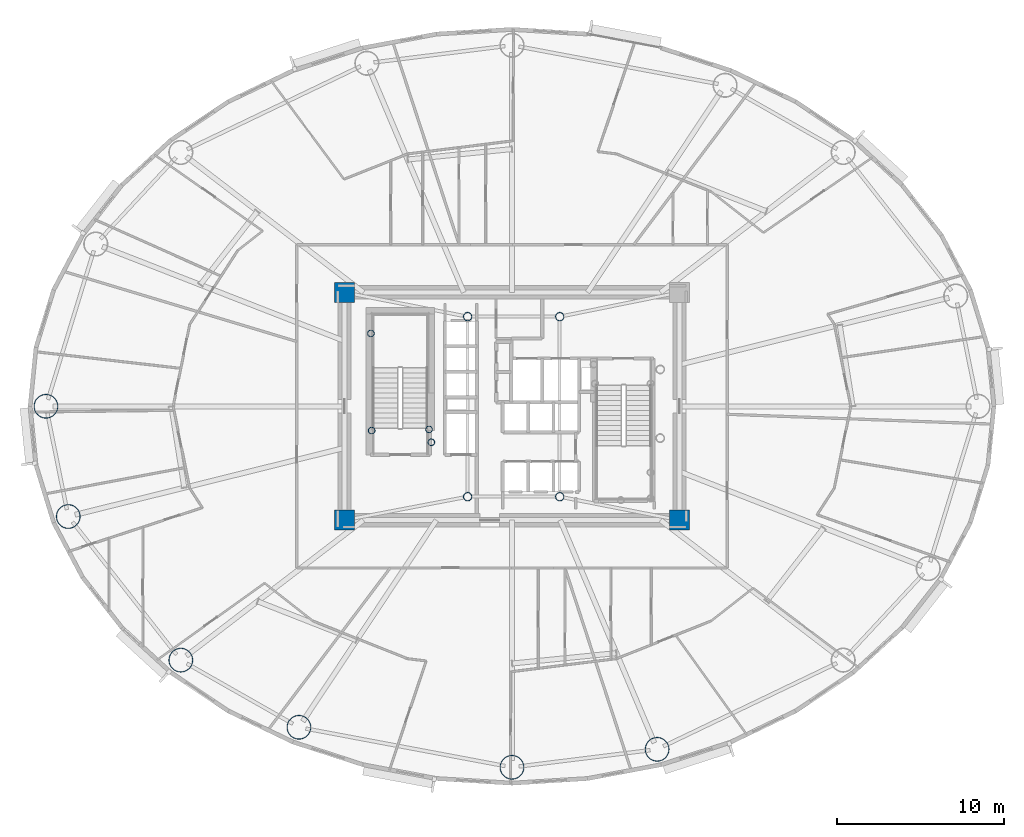
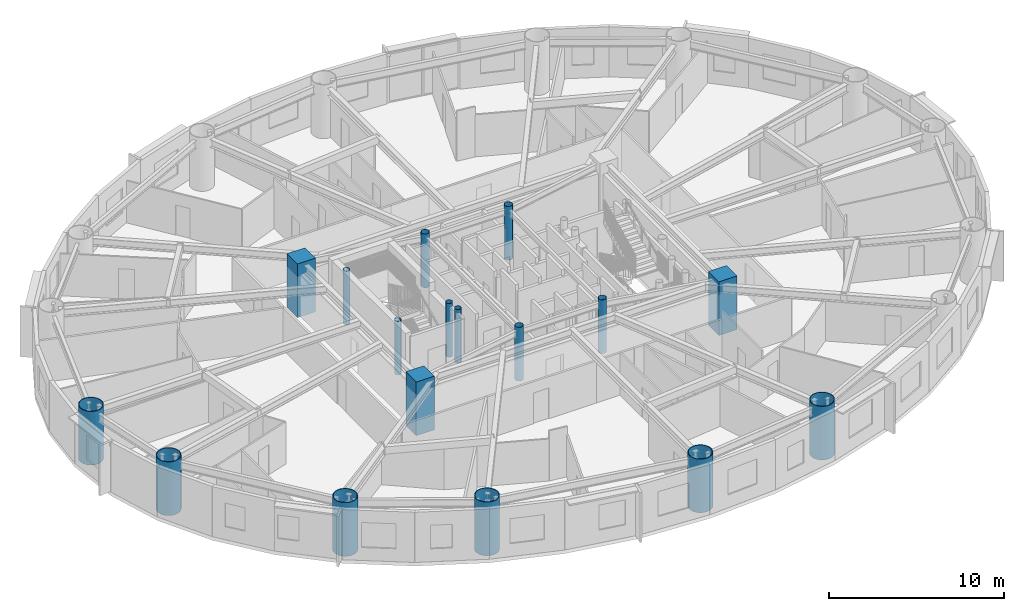
# One storey, part 1 of 19: 17 columns.
"""IFC4 building model written with IfcOpenShell, lengths in metres."""

from ifc_helpers import new_model, si_unit, direction, frame, origin, origin_2d, place, context, subcontext, project, spatial, rectangle, hollow_circle, extrude, material, material_profile, profile_set, type_object, element, save


model = new_model("IFC4")

# Units and contexts
model_context = context("Model", 3, precision=1e-05, world=origin(), true_north=direction((0.0, 1.0)))
body_context = subcontext(model_context, "Body", "Model", "MODEL_VIEW")
ifc_project = project(units=[si_unit("LENGTHUNIT", "METRE"), si_unit("AREAUNIT", "SQUARE_METRE"), si_unit("VOLUMEUNIT", "CUBIC_METRE"), si_unit("PLANEANGLEUNIT", "RADIAN"), si_unit("MASSUNIT", "GRAM", prefix="KILO")], contexts=[model_context])

# Site, building, storey
site_placement = place(None, origin())
site = spatial("IfcSite", under=ifc_project, at=site_placement, CompositionType="ELEMENT")
building_placement = place(site_placement, origin())
building = spatial("IfcBuilding", under=site, at=building_placement, Name="Linh Dai School and Residence Tower", CompositionType="ELEMENT")
storey_placement = place(building_placement, frame((0.0, 0.0, 112.199951171875)))
storey = spatial("IfcBuildingStorey", under=building, at=storey_placement, Name="L26", CompositionType="ELEMENT", Elevation=112.199951171875)

# Columns
ifc_material_1 = material(Name="Concrete B60 (C50/60)", Category="concrete")
ifc_material_profile_1 = material_profile(ifc_material_1, rectangle(XDim=1.199951171875, YDim=1.199951171875, at=origin_2d()), Name="RC 1200x1200")
ifc_profile_set_1 = profile_set([ifc_material_profile_1], Name="Concrete B60 (C50/60)")
column_type_1 = type_object("IfcColumnType", Name="COL-CC2", PredefinedType="COLUMN", material=ifc_profile_set_1)
for number, where, z_axis, x_axis, name in (
    (1, (26.0, 20.199951171875, 0.0), (0.0, 0.0, 1.0), (1.0, 0.0, 0.0), "L26 Core Corner Pier CC1"),
    (2, (46.0, 20.199951171875, 0.0), (0.0, 0.0, 1.0), (1.0, 0.0, 0.0), "L26 Core Corner Pier CC2"),
    (3, (26.0, 33.800048828125, 0.0), (0.0, 0.0, 1.0), (1.0, 0.0, 0.0), "L26 Core Corner Pier CC4"),
):
    element("IfcColumn", number, at=place(storey_placement, frame(where, z_axis=z_axis, x_axis=x_axis)), inside=storey, type_object=column_type_1, Name=name, PredefinedType="COLUMN", context=body_context, shape_type="SweptSolid", body=[
        extrude(rectangle(XDim=1.199951171875, YDim=1.199951171875, at=origin_2d()), origin(), (0.0, 0.0, 1.0), 3.75),
    ])
ifc_material_2 = material(Name="Structural Steel S355JR", Category="steel")
ifc_material_profile_2 = material_profile(ifc_material_2, hollow_circle(Radius=0.203125, WallThickness=0.01611328125, at=origin_2d()), Name="CHS 406.4x16")
ifc_profile_set_2 = profile_set([ifc_material_profile_2], Name="Structural Steel S355JR")
column_type_2 = type_object("IfcColumnType", Name="COL-EC", PredefinedType="COLUMN", material=ifc_profile_set_2)
for number, where, z_axis, x_axis, name in (
    (4, (27.580078125, 31.35009765625, 0.0), (0.0, 0.0, 1.0), (1.0, 0.0, 0.0), "L26 Stair Shaft Landing Support Pier ST1NW"),
    (5, (31.050048828125, 25.6201171875, 0.0), (0.0, 0.0, 1.0), (1.0, 0.0, 0.0), "L26 Stair Shaft Landing Support Pier ST1SE"),
    (6, (31.179931640625, 24.85009765625, 0.0), (0.0, 0.0, 1.0), (1.0, 0.0, 0.0), "L26 Stair Shaft Landing Support Pier ST1SM"),
    (7, (27.6201171875, 25.550048828125, 0.0), (0.0, 0.0, 1.0), (1.0, 0.0, 0.0), "L26 Stair Shaft Landing Support Pier ST1SW"),
):
    element("IfcColumn", number, at=place(storey_placement, frame(where, z_axis=z_axis, x_axis=x_axis)), inside=storey, type_object=column_type_2, Name=name, PredefinedType="COLUMN", context=body_context, shape_type="SweptSolid", body=[
        extrude(hollow_circle(Radius=0.203125, WallThickness=0.01611328125, at=origin_2d()), origin(), (0.0, 0.0, 1.0), 3.75),
    ])
ifc_material_profile_3 = material_profile(ifc_material_2, hollow_circle(Radius=0.72509765625, WallThickness=0.0419921875, at=origin_2d()), Name="CHS 1450x42")
ifc_profile_set_3 = profile_set([ifc_material_profile_3], Name="Structural Steel S355JR")
column_type_3 = type_object("IfcColumnType", Name="COL-MC3", PredefinedType="COLUMN", material=ifc_profile_set_3)
for number, where, z_axis, x_axis, name in (
    (8, (8.175048828125, 27.0, 0.0), (0.0, 0.0, 1.0), (1.0, 0.0, 0.0), "L26 Perimeter CFT Mega-Column MC09"),
    (9, (9.50732421875, 20.4189453125, 0.0), (0.0, 0.0, 1.0), (1.0, 0.0, 0.0), "L26 Perimeter CFT Mega-Column MC10"),
    (10, (16.227294921875, 11.844482421875, 0.0), (0.0, 0.0, 1.0), (1.0, 0.0, 0.0), "L26 Perimeter CFT Mega-Column MC11"),
    (11, (23.278076171875, 7.8349609375, 0.0), (0.0, 0.0, 1.0), (1.0, 0.0, 0.0), "L26 Perimeter CFT Mega-Column MC12"),
    (12, (36.0, 5.445068359375, 0.0), (0.0, 0.0, 1.0), (1.0, 0.0, 0.0), "L26 Perimeter CFT Mega-Column MC13"),
    (13, (44.66552734375, 6.519287109375, 0.0), (0.0, 0.0, 1.0), (1.0, 0.0, 0.0), "L26 Perimeter CFT Mega-Column MC14"),
):
    element("IfcColumn", number, at=place(storey_placement, frame(where, z_axis=z_axis, x_axis=x_axis)), inside=storey, type_object=column_type_3, Name=name, PredefinedType="COLUMN", context=body_context, shape_type="SweptSolid", body=[
        extrude(hollow_circle(Radius=0.72509765625, WallThickness=0.0419921875, at=origin_2d()), origin(), (0.0, 0.0, 1.0), 3.75),
    ])
ifc_material_profile_4 = material_profile(ifc_material_2, hollow_circle(Radius=0.25390625, WallThickness=0.02001953125, at=origin_2d()), Name="CHS 508x20")
ifc_profile_set_4 = profile_set([ifc_material_profile_4], Name="Structural Steel S355JR")
column_type_4 = type_object("IfcColumnType", Name="COL-MCP", PredefinedType="COLUMN", material=ifc_profile_set_4)
for number, where, z_axis, x_axis, name in (
    (14, (33.35009765625, 21.60009765625, 0.0), (0.0, 0.0, 1.0), (1.0, 0.0, 0.0), "L26 Core Mast Support Pier MCP1"),
    (15, (38.85009765625, 21.60009765625, 0.0), (0.0, 0.0, 1.0), (1.0, 0.0, 0.0), "L26 Core Mast Support Pier MCP2"),
    (16, (38.85009765625, 32.35009765625, 0.0), (0.0, 0.0, 1.0), (1.0, 0.0, 0.0), "L26 Core Mast Support Pier MCP3"),
    (17, (33.35009765625, 32.35009765625, 0.0), (0.0, 0.0, 1.0), (1.0, 0.0, 0.0), "L26 Core Mast Support Pier MCP4"),
):
    element("IfcColumn", number, at=place(storey_placement, frame(where, z_axis=z_axis, x_axis=x_axis)), inside=storey, type_object=column_type_4, Name=name, PredefinedType="COLUMN", context=body_context, shape_type="SweptSolid", body=[
        extrude(hollow_circle(Radius=0.25390625, WallThickness=0.02001953125, at=origin_2d()), origin(), (0.0, 0.0, 1.0), 3.75),
    ])

save(model, "model.ifc")
